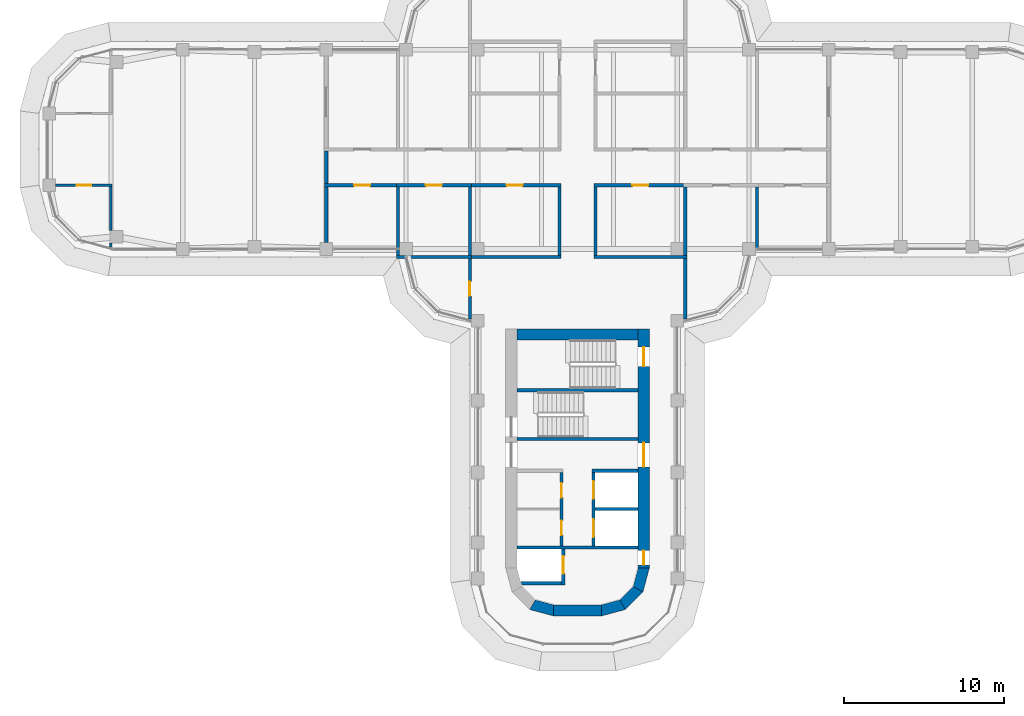
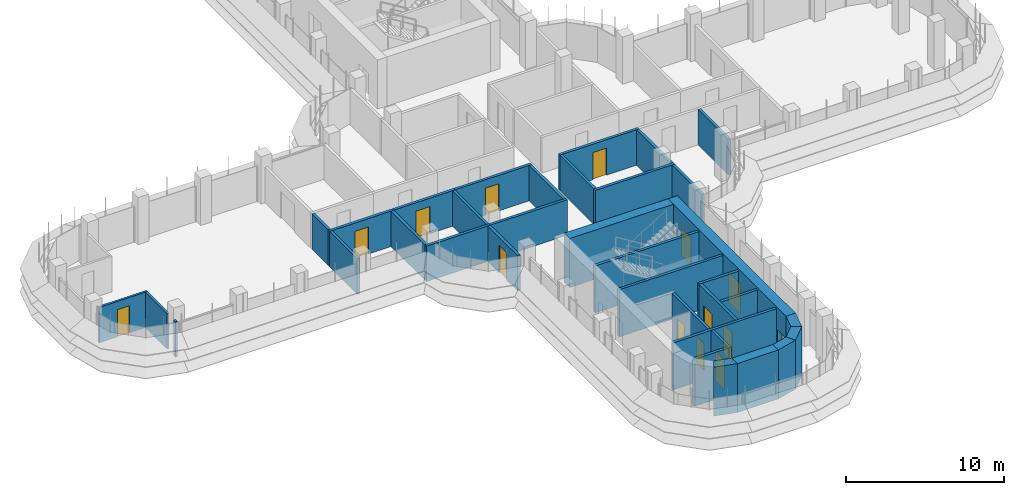
# One storey, part 13 of 19: 36 walls, 14 doors, 14 openings.
"""IFC4 building model written with IfcOpenShell, lengths in metres."""

from ifc_helpers import new_model, si_unit, direction, frame, frame_2d, origin, place, context, subcontext, project, spatial, polyline, rectangle, outline, extrude, material, layer, layer_set, type_object, element, fill, save


model = new_model("IFC4")

# Units and contexts
model_context = context("Model", 3, precision=1e-05, world=origin(), true_north=direction((0.0, 1.0)))
body_context = subcontext(model_context, "Body", "Model", "MODEL_VIEW")
ifc_project = project(units=[si_unit("LENGTHUNIT", "METRE"), si_unit("AREAUNIT", "SQUARE_METRE"), si_unit("VOLUMEUNIT", "CUBIC_METRE"), si_unit("PLANEANGLEUNIT", "RADIAN"), si_unit("MASSUNIT", "GRAM", prefix="KILO")], contexts=[model_context])

# Site, building, storey
site_placement = place(None, origin())
site = spatial("IfcSite", under=ifc_project, at=site_placement, CompositionType="ELEMENT")
building_placement = place(site_placement, origin())
building = spatial("IfcBuilding", under=site, at=building_placement, Name="Zarbagh Exchange Tower", CompositionType="ELEMENT")
storey_placement = place(building_placement, frame((0.0, 0.0, 167.60009765625)))
storey = spatial("IfcBuildingStorey", under=building, at=storey_placement, Name="L40", CompositionType="ELEMENT", Elevation=167.60009765625)

# Walls
ifc_material_1 = material(Name="Plasterboard partition")
ifc_layer_1 = layer(ifc_material_1, 0.14990234375)
ifc_layer_set_1 = layer_set([ifc_layer_1], Name="PARTITION 150")
wall_type_1 = type_object("IfcWallType", Name="PARTITION 150", PredefinedType="PARTITIONING", material=ifc_layer_set_1)
wall_1_placement = place(storey_placement, frame((-29.25, -6.1298828125, 0.0), z_axis=(0.0, 0.0, 1.0), x_axis=(0.0, 1.0, 0.0)))
element("IfcWall", 1, at=wall_1_placement, inside=storey, type_object=wall_type_1, Name="Partition W-1749", PredefinedType="PARTITIONING", context=body_context, shape_type="SweptSolid", body=[
    extrude(rectangle(XDim=0.2548828125, YDim=0.14990234375, at=frame_2d((0.12744140625, 0.0))), origin(), (0.0, 0.0, 1.0), 2.75),
])
wall_2_placement = place(storey_placement, frame((-29.25, -5.074951171875, 0.0), z_axis=(0.0, 0.0, 1.0), x_axis=(0.0, 1.0, 0.0)))
element("IfcWall", 2, at=wall_2_placement, inside=storey, type_object=wall_type_1, Name="Partition W-1750", PredefinedType="PARTITIONING", context=body_context, shape_type="SweptSolid", body=[
    extrude(rectangle(XDim=2.75, YDim=0.14990234375, at=frame_2d((1.375, 0.0))), origin(), (0.0, 0.0, 1.0), 2.75),
])

# Wall, opening, door
wall_3_placement = place(storey_placement, frame((-29.175048828125, -2.25, 0.0), z_axis=(0.0, 0.0, 1.0), x_axis=(-1.0, 0.0, 0.0)))
wall_3 = element("IfcWall", 3, at=wall_3_placement, inside=storey, type_object=wall_type_1, Name="Partition W-1751", PredefinedType="PARTITIONING", context=body_context, shape_type="SweptSolid", body=[
    extrude(rectangle(XDim=3.534912109375, YDim=0.14990234375, at=frame_2d((1.767578125, 0.0))), origin(), (0.0, 0.0, 1.0), 2.75),
])
opening_1_placement = place(wall_3_placement, frame((1.3173828125, 0.0, 0.0)))
opening_1 = element("IfcOpeningElement", 4, at=opening_1_placement, cuts=wall_3, Name="Opening D-1716", PredefinedType="OPENING", context=body_context, shape_type="SweptSolid", body=[
    extrude(rectangle(XDim=0.89990234375, YDim=2.10009765625, at=frame_2d((0.449951171875, 1.050048828125))), frame((0.0, 0.0849609375, 0.0), z_axis=(0.0, -1.0, 0.0), x_axis=(1.0, 0.0, 0.0)), (0.0, 0.0, 1.0), 0.169921875),
])
ifc_material_2 = material(Name="Timber door leaf", Category="wood")
door_type_1 = type_object("IfcDoorType", Name="DOOR 900 X 2100", OperationType="NOTDEFINED", PredefinedType="DOOR", material=ifc_material_2)
door_1_placement = place(opening_1_placement, origin())
door_1 = element("IfcDoor", 5, at=door_1_placement, inside=storey, type_object=door_type_1, Name="Door D-1716", OperationType="SINGLE_SWING_RIGHT", OverallHeight=2.10009765625, OverallWidth=0.89990234375, PredefinedType="DOOR", context=body_context, shape_type="SweptSolid", body=[
    extrude(rectangle(XDim=0.89990234375, YDim=2.10009765625, at=frame_2d((0.449951171875, 1.050048828125))), frame((0.0, 0.02490234375, 0.0), z_axis=(0.0, -1.0, 0.0), x_axis=(1.0, 0.0, 0.0)), (0.0, 0.0, 1.0), 0.050048828125),
])
fill(opening_1, door_1)

ifc_material_3 = material(Name="Fire-rated plasterboard partition")
ifc_layer_2 = layer(ifc_material_3, 0.199951171875)
ifc_layer_set_2 = layer_set([ifc_layer_2], Name="RATED PARTITION 200")
wall_type_2 = type_object("IfcWallType", Name="RATED PARTITION 200", PredefinedType="PARTITIONING", material=ifc_layer_set_2)
wall_4_placement = place(storey_placement, frame((6.85009765625, -2.25, 0.0), z_axis=(0.0, 0.0, 1.0), x_axis=(-1.0, 0.0, 0.0)))
wall_4 = element("IfcWall", 6, at=wall_4_placement, inside=storey, type_object=wall_type_2, Name="Partition W-1705", PredefinedType="PARTITIONING", context=body_context, shape_type="SweptSolid", body=[
    extrude(rectangle(XDim=5.8251953125, YDim=0.199951171875, at=frame_2d((2.91259765625, 0.0))), origin(), (0.0, 0.0, 1.0), 2.75),
])
opening_2_placement = place(wall_4_placement, frame((2.41259765625, 0.0, 0.0)))
opening_2 = element("IfcOpeningElement", 7, at=opening_2_placement, cuts=wall_4, Name="Opening D-1710", PredefinedType="OPENING", context=body_context, shape_type="SweptSolid", body=[
    extrude(rectangle(XDim=1.0, YDim=2.10009765625, at=frame_2d((0.5, 1.050048828125))), frame((0.0, 0.10986328125, 0.0), z_axis=(0.0, -1.0, 0.0), x_axis=(1.0, 0.0, 0.0)), (0.0, 0.0, 1.0), 0.219970703125),
])
ifc_material_4 = material(Name="Steel door set", Category="steel")
door_type_2 = type_object("IfcDoorType", Name="FIRE DOOR 1000 X 2100 FD30S", OperationType="NOTDEFINED", PredefinedType="DOOR", material=ifc_material_4)
door_2_placement = place(opening_2_placement, origin())
door_2 = element("IfcDoor", 8, at=door_2_placement, inside=storey, type_object=door_type_2, Name="Door D-1710", OperationType="SINGLE_SWING_RIGHT", OverallHeight=2.10009765625, OverallWidth=1.0, PredefinedType="DOOR", context=body_context, shape_type="SweptSolid", body=[
    extrude(rectangle(XDim=1.0, YDim=2.10009765625, at=frame_2d((0.5, 1.050048828125))), frame((0.0, 0.02490234375, 0.0), z_axis=(0.0, -1.0, 0.0), x_axis=(1.0, 0.0, 0.0)), (0.0, 0.0, 1.0), 0.050048828125),
])
fill(opening_2, door_2)

wall_5_placement = place(storey_placement, frame((-1.02490234375, -2.25, 0.0), z_axis=(0.0, 0.0, 1.0), x_axis=(-1.0, 0.0, 0.0)))
wall_5 = element("IfcWall", 9, at=wall_5_placement, inside=storey, type_object=wall_type_2, Name="Partition W-1707", PredefinedType="PARTITIONING", context=body_context, shape_type="SweptSolid", body=[
    extrude(rectangle(XDim=5.8251953125, YDim=0.199951171875, at=frame_2d((2.91259765625, 0.0))), origin(), (0.0, 0.0, 1.0), 2.75),
])
opening_3_placement = place(wall_5_placement, frame((2.41259765625, 0.0, 0.0)))
opening_3 = element("IfcOpeningElement", 10, at=opening_3_placement, cuts=wall_5, Name="Opening D-1712", PredefinedType="OPENING", context=body_context, shape_type="SweptSolid", body=[
    extrude(rectangle(XDim=1.0, YDim=2.10009765625, at=frame_2d((0.5, 1.050048828125))), frame((0.0, 0.10986328125, 0.0), z_axis=(0.0, -1.0, 0.0), x_axis=(1.0, 0.0, 0.0)), (0.0, 0.0, 1.0), 0.219970703125),
])
door_3_placement = place(opening_3_placement, origin())
door_3 = element("IfcDoor", 11, at=door_3_placement, inside=storey, type_object=door_type_2, Name="Door D-1712", OperationType="SINGLE_SWING_RIGHT", OverallHeight=2.10009765625, OverallWidth=1.0, PredefinedType="DOOR", context=body_context, shape_type="SweptSolid", body=[
    extrude(rectangle(XDim=1.0, YDim=2.10009765625, at=frame_2d((0.5, 1.050048828125))), frame((0.0, 0.02490234375, 0.0), z_axis=(0.0, -1.0, 0.0), x_axis=(1.0, 0.0, 0.0)), (0.0, 0.0, 1.0), 0.050048828125),
])
fill(opening_3, door_3)

wall_6_placement = place(storey_placement, frame((-6.64990234375, -2.25, 0.0), z_axis=(0.0, 0.0, 1.0), x_axis=(-1.0, 0.0, 0.0)))
wall_6 = element("IfcWall", 12, at=wall_6_placement, inside=storey, type_object=wall_type_2, Name="Partition W-1708", PredefinedType="PARTITIONING", context=body_context, shape_type="SweptSolid", body=[
    extrude(rectangle(XDim=4.7001953125, YDim=0.199951171875, at=frame_2d((2.35009765625, 0.0))), origin(), (0.0, 0.0, 1.0), 2.75),
])
opening_4_placement = place(wall_6_placement, frame((1.85009765625, 0.0, 0.0)))
opening_4 = element("IfcOpeningElement", 13, at=opening_4_placement, cuts=wall_6, Name="Opening D-1713", PredefinedType="OPENING", context=body_context, shape_type="SweptSolid", body=[
    extrude(rectangle(XDim=1.0, YDim=2.10009765625, at=frame_2d((0.5, 1.050048828125))), frame((0.0, 0.10986328125, 0.0), z_axis=(0.0, -1.0, 0.0), x_axis=(1.0, 0.0, 0.0)), (0.0, 0.0, 1.0), 0.219970703125),
])
door_4_placement = place(opening_4_placement, origin())
door_4 = element("IfcDoor", 14, at=door_4_placement, inside=storey, type_object=door_type_2, Name="Door D-1713", OperationType="SINGLE_SWING_RIGHT", OverallHeight=2.10009765625, OverallWidth=1.0, PredefinedType="DOOR", context=body_context, shape_type="SweptSolid", body=[
    extrude(rectangle(XDim=1.0, YDim=2.10009765625, at=frame_2d((0.5, 1.050048828125))), frame((0.0, 0.02490234375, 0.0), z_axis=(0.0, -1.0, 0.0), x_axis=(1.0, 0.0, 0.0)), (0.0, 0.0, 1.0), 0.050048828125),
])
fill(opening_4, door_4)

wall_7_placement = place(storey_placement, frame((-11.14990234375, -2.25, 0.0), z_axis=(0.0, 0.0, 1.0), x_axis=(-1.0, 0.0, 0.0)))
wall_7 = element("IfcWall", 15, at=wall_7_placement, inside=storey, type_object=wall_type_2, Name="Partition W-1713", PredefinedType="PARTITIONING", context=body_context, shape_type="SweptSolid", body=[
    extrude(rectangle(XDim=4.7001953125, YDim=0.199951171875, at=frame_2d((2.35009765625, 0.0))), origin(), (0.0, 0.0, 1.0), 2.75),
])
opening_5_placement = place(wall_7_placement, frame((1.85009765625, 0.0, 0.0)))
opening_5 = element("IfcOpeningElement", 16, at=opening_5_placement, cuts=wall_7, Name="Opening D-1719", PredefinedType="OPENING", context=body_context, shape_type="SweptSolid", body=[
    extrude(rectangle(XDim=1.0, YDim=2.10009765625, at=frame_2d((0.5, 1.050048828125))), frame((0.0, 0.10986328125, 0.0), z_axis=(0.0, -1.0, 0.0), x_axis=(1.0, 0.0, 0.0)), (0.0, 0.0, 1.0), 0.219970703125),
])
door_5_placement = place(opening_5_placement, origin())
door_5 = element("IfcDoor", 17, at=door_5_placement, inside=storey, type_object=door_type_2, Name="Door D-1719", OperationType="SINGLE_SWING_RIGHT", OverallHeight=2.10009765625, OverallWidth=1.0, PredefinedType="DOOR", context=body_context, shape_type="SweptSolid", body=[
    extrude(rectangle(XDim=1.0, YDim=2.10009765625, at=frame_2d((0.5, 1.050048828125))), frame((0.0, 0.02490234375, 0.0), z_axis=(0.0, -1.0, 0.0), x_axis=(1.0, 0.0, 0.0)), (0.0, 0.0, 1.0), 0.050048828125),
])
fill(opening_5, door_5)

# Walls
wall_8_placement = place(storey_placement, frame((-15.75, -2.14990234375, 0.0), z_axis=(0.0, 0.0, 1.0), x_axis=(0.0, 1.0, 0.0)))
element("IfcWall", 18, at=wall_8_placement, inside=storey, type_object=wall_type_2, Name="Partition W-1714", PredefinedType="PARTITIONING", context=body_context, shape_type="SweptSolid", body=[
    extrude(rectangle(XDim=2.0498046875, YDim=0.199951171875, at=frame_2d((1.02490234375, 0.0))), origin(), (0.0, 0.0, 1.0), 2.75),
])
for number, where, z_axis, x_axis, name in (
    (19, (1.125, -6.64990234375, 0.0), (0.0, 0.0, 1.0), (0.0, 1.0, 0.0), "Partition W-1719"),
    (20, (-1.125, -6.64990234375, 0.0), (0.0, 0.0, 1.0), (0.0, 1.0, 0.0), "Partition W-1720"),
):
    element("IfcWall", number, at=place(storey_placement, frame(where, z_axis=z_axis, x_axis=x_axis)), inside=storey, type_object=wall_type_2, Name=name, PredefinedType="PARTITIONING", context=body_context, shape_type="SweptSolid", body=[
        extrude(rectangle(XDim=4.2998046875, YDim=0.199951171875, at=frame_2d((2.14990234375, 0.0))), origin(), (0.0, 0.0, 1.0), 2.75),
    ])
wall_9_placement = place(storey_placement, frame((1.02490234375, -6.75, 0.0), z_axis=(0.0, 0.0, 1.0), x_axis=(1.0, 0.0, 0.0)))
element("IfcWall", 21, at=wall_9_placement, inside=storey, type_object=wall_type_2, Name="Partition W-1725", PredefinedType="PARTITIONING", context=body_context, shape_type="SweptSolid", body=[
    extrude(rectangle(XDim=5.8251953125, YDim=0.199951171875, at=frame_2d((2.91259765625, 0.0))), origin(), (0.0, 0.0, 1.0), 2.75),
])
wall_10_placement = place(storey_placement, frame((6.75, -10.6298828125, 0.0), z_axis=(0.0, 0.0, 1.0), x_axis=(0.0, 1.0, 0.0)))
element("IfcWall", 22, at=wall_10_placement, inside=storey, type_object=wall_type_2, Name="Partition W-1726", PredefinedType="PARTITIONING", context=body_context, shape_type="SweptSolid", body=[
    extrude(rectangle(XDim=3.77978515625, YDim=0.199951171875, at=frame_2d((1.889892578125, 0.0))), origin(), (0.0, 0.0, 1.0), 2.75),
])
wall_11_placement = place(storey_placement, frame((-6.85009765625, -6.75, 0.0), z_axis=(0.0, 0.0, 1.0), x_axis=(1.0, 0.0, 0.0)))
element("IfcWall", 23, at=wall_11_placement, inside=storey, type_object=wall_type_2, Name="Partition W-1727", PredefinedType="PARTITIONING", context=body_context, shape_type="SweptSolid", body=[
    extrude(rectangle(XDim=5.8251953125, YDim=0.199951171875, at=frame_2d((2.91259765625, 0.0))), origin(), (0.0, 0.0, 1.0), 2.75),
])

# Wall, opening, door
wall_12_placement = place(storey_placement, frame((-6.75, -10.6298828125, 0.0), z_axis=(0.0, 0.0, 1.0), x_axis=(0.0, 1.0, 0.0)))
wall_12 = element("IfcWall", 24, at=wall_12_placement, inside=storey, type_object=wall_type_2, Name="Partition W-1728", PredefinedType="PARTITIONING", context=body_context, shape_type="SweptSolid", body=[
    extrude(rectangle(XDim=3.77978515625, YDim=0.199951171875, at=frame_2d((1.889892578125, 0.0))), origin(), (0.0, 0.0, 1.0), 2.75),
])
opening_6_placement = place(wall_12_placement, frame((1.43994140625, 0.0, 0.0)))
opening_6 = element("IfcOpeningElement", 25, at=opening_6_placement, cuts=wall_12, Name="Opening D-1714", PredefinedType="OPENING", context=body_context, shape_type="SweptSolid", body=[
    extrude(rectangle(XDim=0.89990234375, YDim=2.10009765625, at=frame_2d((0.449951171875, 1.050048828125))), frame((0.0, 0.10986328125, 0.0), z_axis=(0.0, -1.0, 0.0), x_axis=(1.0, 0.0, 0.0)), (0.0, 0.0, 1.0), 0.219970703125),
])
door_6_placement = place(opening_6_placement, origin())
door_6 = element("IfcDoor", 26, at=door_6_placement, inside=storey, type_object=door_type_1, Name="Door D-1714", OperationType="SINGLE_SWING_RIGHT", OverallHeight=2.10009765625, OverallWidth=0.89990234375, PredefinedType="DOOR", context=body_context, shape_type="SweptSolid", body=[
    extrude(rectangle(XDim=0.89990234375, YDim=2.10009765625, at=frame_2d((0.449951171875, 1.050048828125))), frame((0.0, 0.02490234375, 0.0), z_axis=(0.0, -1.0, 0.0), x_axis=(1.0, 0.0, 0.0)), (0.0, 0.0, 1.0), 0.050048828125),
])
fill(opening_6, door_6)

# Walls
wall_13_placement = place(storey_placement, frame((6.75, -6.64990234375, 0.0), z_axis=(0.0, 0.0, 1.0), x_axis=(0.0, 1.0, 0.0)))
element("IfcWall", 27, at=wall_13_placement, inside=storey, type_object=wall_type_2, Name="Partition W-1737", PredefinedType="PARTITIONING", context=body_context, shape_type="SweptSolid", body=[
    extrude(rectangle(XDim=4.2998046875, YDim=0.199951171875, at=frame_2d((2.14990234375, 0.0))), origin(), (0.0, 0.0, 1.0), 2.75),
])
wall_14_placement = place(storey_placement, frame((11.25, -6.169921875, 0.0), z_axis=(0.0, 0.0, 1.0), x_axis=(0.0, 1.0, 0.0)))
element("IfcWall", 28, at=wall_14_placement, inside=storey, type_object=wall_type_2, Name="Partition W-1738", PredefinedType="PARTITIONING", context=body_context, shape_type="SweptSolid", body=[
    extrude(rectangle(XDim=3.81982421875, YDim=0.199951171875, at=frame_2d((1.909912109375, 0.0))), origin(), (0.0, 0.0, 1.0), 2.75),
])
wall_15_placement = place(storey_placement, frame((-6.75, -6.64990234375, 0.0), z_axis=(0.0, 0.0, 1.0), x_axis=(0.0, 1.0, 0.0)))
element("IfcWall", 29, at=wall_15_placement, inside=storey, type_object=wall_type_2, Name="Partition W-1739", PredefinedType="PARTITIONING", context=body_context, shape_type="SweptSolid", body=[
    extrude(rectangle(XDim=4.2998046875, YDim=0.199951171875, at=frame_2d((2.14990234375, 0.0))), origin(), (0.0, 0.0, 1.0), 2.75),
])
wall_16_placement = place(storey_placement, frame((-11.35009765625, -6.75, 0.0), z_axis=(0.0, 0.0, 1.0), x_axis=(1.0, 0.0, 0.0)))
element("IfcWall", 30, at=wall_16_placement, inside=storey, type_object=wall_type_2, Name="Partition W-1740", PredefinedType="PARTITIONING", context=body_context, shape_type="SweptSolid", body=[
    extrude(rectangle(XDim=4.7001953125, YDim=0.199951171875, at=frame_2d((2.35009765625, 0.0))), origin(), (0.0, 0.0, 1.0), 2.75),
])
wall_17_placement = place(storey_placement, frame((-11.25, -6.64990234375, 0.0), z_axis=(0.0, 0.0, 1.0), x_axis=(0.0, 1.0, 0.0)))
element("IfcWall", 31, at=wall_17_placement, inside=storey, type_object=wall_type_2, Name="Partition W-1741", PredefinedType="PARTITIONING", context=body_context, shape_type="SweptSolid", body=[
    extrude(rectangle(XDim=4.2998046875, YDim=0.199951171875, at=frame_2d((2.14990234375, 0.0))), origin(), (0.0, 0.0, 1.0), 2.75),
])
wall_18_placement = place(storey_placement, frame((-15.75, -5.85009765625, 0.0), z_axis=(0.0, 0.0, 1.0), x_axis=(0.0, 1.0, 0.0)))
element("IfcWall", 32, at=wall_18_placement, inside=storey, type_object=wall_type_2, Name="Partition W-1745", PredefinedType="PARTITIONING", context=body_context, shape_type="SweptSolid", body=[
    extrude(rectangle(XDim=3.5, YDim=0.199951171875, at=frame_2d((1.75, 0.0))), origin(), (0.0, 0.0, 1.0), 2.75),
])
ifc_material_5 = material(Name="Concrete C50/60", Category="concrete")
ifc_layer_3 = layer(ifc_material_5, 0.699951171875)
ifc_layer_set_3 = layer_set([ifc_layer_3], Name="RC core corner wall 700 C50/60")
wall_type_3 = type_object("IfcWallType", Name="RC core corner wall 700 C50/60", PredefinedType="SHEAR", material=ifc_layer_set_3)
wall_19_placement = place(storey_placement, origin())
element("IfcWall", 33, at=wall_19_placement, inside=storey, type_object=wall_type_3, Name="CW6 core S corner W", PredefinedType="SHEAR", context=body_context, shape_type="SweptSolid", body=[
    extrude(outline(polyline([(-3.0, -28.84814453125), (-1.5, -29.25), (-1.5, -28.550048828125), (-2.64990234375, -28.241943359375), (-3.0, -28.84814453125)])), origin(), (0.0, 0.0, 1.0), 3.7998046875),
])
wall_20_placement = place(storey_placement, origin())
element("IfcWall", 34, at=wall_20_placement, inside=storey, type_object=wall_type_3, Name="CW6 core S corner E", PredefinedType="SHEAR", context=body_context, shape_type="SweptSolid", body=[
    extrude(outline(polyline([(4.5, -26.25), (4.09814453125, -27.75), (3.491943359375, -27.39990234375), (3.800048828125, -26.25), (4.5, -26.25)])), origin(), (0.0, 0.0, 1.0), 3.7998046875),
])
wall_21_placement = place(storey_placement, origin())
element("IfcWall", 35, at=wall_21_placement, inside=storey, type_object=wall_type_3, Name="CW6 core S corner E", PredefinedType="SHEAR", context=body_context, shape_type="SweptSolid", body=[
    extrude(outline(polyline([(4.09814453125, -27.75), (3.0, -28.84814453125), (2.64990234375, -28.241943359375), (3.491943359375, -27.39990234375), (4.09814453125, -27.75)])), origin(), (0.0, 0.0, 1.0), 3.7998046875),
])
wall_22_placement = place(storey_placement, origin())
element("IfcWall", 36, at=wall_22_placement, inside=storey, type_object=wall_type_3, Name="CW6 core S corner E", PredefinedType="SHEAR", context=body_context, shape_type="SweptSolid", body=[
    extrude(outline(polyline([(3.0, -28.84814453125), (1.5, -29.25), (1.5, -28.550048828125), (2.64990234375, -28.241943359375), (3.0, -28.84814453125)])), origin(), (0.0, 0.0, 1.0), 3.7998046875),
])

# Wall, openings, doors
ifc_layer_4 = layer(ifc_material_5, 0.699951171875)
ifc_layer_set_4 = layer_set([ifc_layer_4], Name="RC core wall 700 C50/60")
wall_type_4 = type_object("IfcWallType", Name="RC core wall 700 C50/60", PredefinedType="SHEAR", material=ifc_layer_set_4)
wall_23_placement = place(storey_placement, frame((4.14990234375, -11.25, 0.0), z_axis=(0.0, 0.0, 1.0), x_axis=(0.0, -1.0, 0.0)))
wall_23 = element("IfcWall", 37, at=wall_23_placement, inside=storey, type_object=wall_type_4, Name="CW5 core S E", PredefinedType="SHEAR", context=body_context, shape_type="SweptSolid", body=[
    extrude(rectangle(XDim=15.0, YDim=0.699951171875, at=frame_2d((7.5, 0.0))), origin(), (0.0, 0.0, 1.0), 3.7998046875),
])
opening_7_placement = place(wall_23_placement, frame((7.14990234375, 0.0, 0.0)))
opening_7 = element("IfcOpeningElement", 38, at=opening_7_placement, cuts=wall_23, Name="Opening CD1-1500", PredefinedType="OPENING", context=body_context, shape_type="SweptSolid", body=[
    extrude(rectangle(XDim=1.5, YDim=2.300048828125, at=frame_2d((0.75, 1.14990234375))), frame((0.0, 0.35986328125, 0.0), z_axis=(0.0, -1.0, 0.0), x_axis=(1.0, 0.0, 0.0)), (0.0, 0.0, 1.0), 0.719970703125),
])
opening_8_placement = place(wall_23_placement, frame((13.89990234375, 0.0, 0.0)))
opening_8 = element("IfcOpeningElement", 39, at=opening_8_placement, cuts=wall_23, Name="Opening CD2-900", PredefinedType="OPENING", context=body_context, shape_type="SweptSolid", body=[
    extrude(rectangle(XDim=0.89990234375, YDim=2.10009765625, at=frame_2d((0.449951171875, 1.050048828125))), frame((0.0, 0.35986328125, 0.0), z_axis=(0.0, -1.0, 0.0), x_axis=(1.0, 0.0, 0.0)), (0.0, 0.0, 1.0), 0.719970703125),
])
opening_9_placement = place(wall_23_placement, frame((1.14990234375, 0.0, 0.0)))
opening_9 = element("IfcOpeningElement", 40, at=opening_9_placement, cuts=wall_23, Name="Opening SD1-1200", PredefinedType="OPENING", context=body_context, shape_type="SweptSolid", body=[
    extrude(rectangle(XDim=1.199951171875, YDim=2.10009765625, at=frame_2d((0.60009765625, 1.050048828125))), frame((0.0, 0.35986328125, 0.0), z_axis=(0.0, -1.0, 0.0), x_axis=(1.0, 0.0, 0.0)), (0.0, 0.0, 1.0), 0.719970703125),
])
ifc_material_6 = material(Name="Steel", Category="steel")
door_type_3 = type_object("IfcDoorType", Name="Exit stair door 1200 x 2100", OperationType="NOTDEFINED", PredefinedType="DOOR", material=ifc_material_6)
door_7_placement = place(opening_9_placement, origin())
door_7 = element("IfcDoor", 41, at=door_7_placement, inside=storey, type_object=door_type_3, Name="South core stair door ST2", OperationType="SINGLE_SWING_LEFT", OverallHeight=2.10009765625, OverallWidth=1.199951171875, PredefinedType="DOOR", context=body_context, shape_type="SweptSolid", body=[
    extrude(rectangle(XDim=1.199951171875, YDim=2.10009765625, at=frame_2d((0.60009765625, 1.050048828125))), frame((0.0, 0.02490234375, 0.0), z_axis=(0.0, -1.0, 0.0), x_axis=(1.0, 0.0, 0.0)), (0.0, 0.0, 1.0), 0.050048828125),
])
fill(opening_9, door_7)
door_type_4 = type_object("IfcDoorType", Name="Firefighting lobby door 900 x 2100", OperationType="NOTDEFINED", PredefinedType="DOOR", material=ifc_material_6)
door_8_placement = place(opening_8_placement, origin())
door_8 = element("IfcDoor", 42, at=door_8_placement, inside=storey, type_object=door_type_4, Name="South core firefighting lobby door FF-W", OperationType="SINGLE_SWING_RIGHT", OverallHeight=2.10009765625, OverallWidth=0.89990234375, PredefinedType="DOOR", context=body_context, shape_type="SweptSolid", body=[
    extrude(rectangle(XDim=0.89990234375, YDim=2.10009765625, at=frame_2d((0.449951171875, 1.050048828125))), frame((0.0, 0.02490234375, 0.0), z_axis=(0.0, -1.0, 0.0), x_axis=(1.0, 0.0, 0.0)), (0.0, 0.0, 1.0), 0.050048828125),
])
fill(opening_8, door_8)
door_type_5 = type_object("IfcDoorType", Name="Lift lobby double door 1500 x 2300", OperationType="NOTDEFINED", PredefinedType="DOOR", material=ifc_material_6)
door_9_placement = place(opening_7_placement, origin())
door_9 = element("IfcDoor", 43, at=door_9_placement, inside=storey, type_object=door_type_5, Name="South core lift lobby door LOBBY-W", OperationType="DOUBLE_DOOR_SINGLE_SWING", OverallHeight=2.300048828125, OverallWidth=1.5, PredefinedType="DOOR", context=body_context, shape_type="SweptSolid", body=[
    extrude(rectangle(XDim=1.5, YDim=2.300048828125, at=frame_2d((0.75, 1.14990234375))), frame((0.0, 0.02490234375, 0.0), z_axis=(0.0, -1.0, 0.0), x_axis=(1.0, 0.0, 0.0)), (0.0, 0.0, 1.0), 0.050048828125),
])
fill(opening_7, door_9)

# Walls
wall_24_placement = place(storey_placement, frame((-3.800048828125, -11.60009765625, 0.0), z_axis=(0.0, 0.0, 1.0), x_axis=(1.0, 0.0, 0.0)))
element("IfcWall", 44, at=wall_24_placement, inside=storey, type_object=wall_type_4, Name="CW5 core S inner end", PredefinedType="SHEAR", context=body_context, shape_type="SweptSolid", body=[
    extrude(rectangle(XDim=7.60009765625, YDim=0.699951171875, at=frame_2d((3.800048828125, 0.0))), origin(), (0.0, 0.0, 1.0), 3.7998046875),
])
wall_25_placement = place(storey_placement, frame((-1.5, -28.89990234375, 0.0), z_axis=(0.0, 0.0, 1.0), x_axis=(1.0, 0.0, 0.0)))
element("IfcWall", 45, at=wall_25_placement, inside=storey, type_object=wall_type_4, Name="CW5 core S outer end", PredefinedType="SHEAR", context=body_context, shape_type="SweptSolid", body=[
    extrude(rectangle(XDim=3.0, YDim=0.699951171875, at=frame_2d((1.5, 0.0))), origin(), (0.0, 0.0, 1.0), 3.7998046875),
])
ifc_material_7 = material(Name="Dense blockwork", Category="masonry")
ifc_layer_5 = layer(ifc_material_7, 0.199951171875)
ifc_layer_set_5 = layer_set([ifc_layer_5], Name="Shaft wall 200 mm blockwork")
wall_type_5 = type_object("IfcWallType", Name="Shaft wall 200 mm blockwork", PredefinedType="PARTITIONING", material=ifc_layer_set_5)
wall_26_placement = place(storey_placement, frame((3.800048828125, -20.14990234375, 0.0), z_axis=(0.0, 0.0, 1.0), x_axis=(-1.0, 0.0, 0.0)))
element("IfcWall", 46, at=wall_26_placement, inside=storey, type_object=wall_type_5, Name="South core shaft wall AB-W", PredefinedType="PARTITIONING", context=body_context, shape_type="SweptSolid", body=[
    extrude(rectangle(XDim=2.900146484375, YDim=0.199951171875, at=frame_2d((1.4501953125, 0.0))), origin(), (0.0, 0.0, 1.0), 3.64990234375),
])

# Wall, openings, doors
wall_27_placement = place(storey_placement, frame((1.0, -24.85009765625, 0.0), z_axis=(0.0, 0.0, 1.0), x_axis=(0.0, 1.0, 0.0)))
wall_27 = element("IfcWall", 47, at=wall_27_placement, inside=storey, type_object=wall_type_5, Name="South core shaft wall LW-W", PredefinedType="PARTITIONING", context=body_context, shape_type="SweptSolid", body=[
    extrude(rectangle(XDim=4.60009765625, YDim=0.199951171875, at=frame_2d((2.300048828125, 0.0))), origin(), (0.0, 0.0, 1.0), 3.64990234375),
])
opening_10_placement = place(wall_27_placement, frame((0.550048828125, 0.0, 0.0)))
opening_10 = element("IfcOpeningElement", 48, at=opening_10_placement, cuts=wall_27, Name="Opening LD-1100", PredefinedType="OPENING", context=body_context, shape_type="SweptSolid", body=[
    extrude(rectangle(XDim=1.10009765625, YDim=2.300048828125, at=frame_2d((0.550048828125, 1.14990234375))), frame((0.0, 0.10986328125, 0.0), z_axis=(0.0, -1.0, 0.0), x_axis=(1.0, 0.0, 0.0)), (0.0, 0.0, 1.0), 0.219970703125),
])
opening_11_placement = place(wall_27_placement, frame((2.949951171875, 0.0, 0.0)))
opening_11 = element("IfcOpeningElement", 49, at=opening_11_placement, cuts=wall_27, Name="Opening LD-1100", PredefinedType="OPENING", context=body_context, shape_type="SweptSolid", body=[
    extrude(rectangle(XDim=1.10009765625, YDim=2.300048828125, at=frame_2d((0.550048828125, 1.14990234375))), frame((0.0, 0.10986328125, 0.0), z_axis=(0.0, -1.0, 0.0), x_axis=(1.0, 0.0, 0.0)), (0.0, 0.0, 1.0), 0.219970703125),
])
ifc_material_8 = material(Name="Stainless steel", Category="steel")
door_type_6 = type_object("IfcDoorType", Name="Lift landing door 1100 x 2300", OperationType="NOTDEFINED", PredefinedType="DOOR", material=ifc_material_8)
door_10_placement = place(opening_10_placement, origin())
door_10 = element("IfcDoor", 50, at=door_10_placement, inside=storey, type_object=door_type_6, Name="South core lift landing door LD-P-S1", OperationType="DOUBLE_DOOR_SLIDING", OverallHeight=2.300048828125, OverallWidth=1.10009765625, PredefinedType="DOOR", context=body_context, shape_type="SweptSolid", body=[
    extrude(rectangle(XDim=1.10009765625, YDim=2.300048828125, at=frame_2d((0.550048828125, 1.14990234375))), frame((0.0, 0.02490234375, 0.0), z_axis=(0.0, -1.0, 0.0), x_axis=(1.0, 0.0, 0.0)), (0.0, 0.0, 1.0), 0.050048828125),
])
fill(opening_10, door_10)
door_11_placement = place(opening_11_placement, origin())
door_11 = element("IfcDoor", 51, at=door_11_placement, inside=storey, type_object=door_type_6, Name="South core lift landing door LD-P-S2", OperationType="DOUBLE_DOOR_SLIDING", OverallHeight=2.300048828125, OverallWidth=1.10009765625, PredefinedType="DOOR", context=body_context, shape_type="SweptSolid", body=[
    extrude(rectangle(XDim=1.10009765625, YDim=2.300048828125, at=frame_2d((0.550048828125, 1.14990234375))), frame((0.0, 0.02490234375, 0.0), z_axis=(0.0, -1.0, 0.0), x_axis=(1.0, 0.0, 0.0)), (0.0, 0.0, 1.0), 0.050048828125),
])
fill(opening_11, door_11)

wall_28_placement = place(storey_placement, frame((-1.0, -24.85009765625, 0.0), z_axis=(0.0, 0.0, 1.0), x_axis=(0.0, 1.0, 0.0)))
wall_28 = element("IfcWall", 52, at=wall_28_placement, inside=storey, type_object=wall_type_5, Name="South core shaft wall LW-E", PredefinedType="PARTITIONING", context=body_context, shape_type="SweptSolid", body=[
    extrude(rectangle(XDim=4.60009765625, YDim=0.199951171875, at=frame_2d((2.300048828125, 0.0))), origin(), (0.0, 0.0, 1.0), 3.64990234375),
])
opening_12_placement = place(wall_28_placement, frame((0.675048828125, 0.0, 0.0)))
opening_12 = element("IfcOpeningElement", 53, at=opening_12_placement, cuts=wall_28, Name="Opening CD3-900", PredefinedType="OPENING", context=body_context, shape_type="SweptSolid", body=[
    extrude(rectangle(XDim=0.89990234375, YDim=2.10009765625, at=frame_2d((0.449951171875, 1.050048828125))), frame((0.0, 0.10986328125, 0.0), z_axis=(0.0, -1.0, 0.0), x_axis=(1.0, 0.0, 0.0)), (0.0, 0.0, 1.0), 0.219970703125),
])
opening_13_placement = place(wall_28_placement, frame((3.02490234375, 0.0, 0.0)))
opening_13 = element("IfcOpeningElement", 54, at=opening_13_placement, cuts=wall_28, Name="Opening CD3-900", PredefinedType="OPENING", context=body_context, shape_type="SweptSolid", body=[
    extrude(rectangle(XDim=0.89990234375, YDim=2.10009765625, at=frame_2d((0.449951171875, 1.050048828125))), frame((0.0, 0.10986328125, 0.0), z_axis=(0.0, -1.0, 0.0), x_axis=(1.0, 0.0, 0.0)), (0.0, 0.0, 1.0), 0.219970703125),
])
door_type_7 = type_object("IfcDoorType", Name="Core room door 900 x 2100", OperationType="NOTDEFINED", PredefinedType="DOOR", material=ifc_material_6)
door_12_placement = place(opening_12_placement, origin())
door_12 = element("IfcDoor", 55, at=door_12_placement, inside=storey, type_object=door_type_7, Name="South core Staff WC door RD-E-0", OperationType="SINGLE_SWING_RIGHT", OverallHeight=2.10009765625, OverallWidth=0.89990234375, PredefinedType="DOOR", context=body_context, shape_type="SweptSolid", body=[
    extrude(rectangle(XDim=0.89990234375, YDim=2.10009765625, at=frame_2d((0.449951171875, 1.050048828125))), frame((0.0, 0.02490234375, 0.0), z_axis=(0.0, -1.0, 0.0), x_axis=(1.0, 0.0, 0.0)), (0.0, 0.0, 1.0), 0.050048828125),
])
fill(opening_12, door_12)
door_13_placement = place(opening_13_placement, origin())
door_13 = element("IfcDoor", 56, at=door_13_placement, inside=storey, type_object=door_type_7, Name="South core Accessible WC door RD-E-1", OperationType="SINGLE_SWING_RIGHT", OverallHeight=2.10009765625, OverallWidth=0.89990234375, PredefinedType="DOOR", context=body_context, shape_type="SweptSolid", body=[
    extrude(rectangle(XDim=0.89990234375, YDim=2.10009765625, at=frame_2d((0.449951171875, 1.050048828125))), frame((0.0, 0.02490234375, 0.0), z_axis=(0.0, -1.0, 0.0), x_axis=(1.0, 0.0, 0.0)), (0.0, 0.0, 1.0), 0.050048828125),
])
fill(opening_13, door_13)

# Walls
wall_29_placement = place(storey_placement, frame((3.800048828125, -22.550048828125, 0.0), z_axis=(0.0, 0.0, 1.0), x_axis=(-1.0, 0.0, 0.0)))
element("IfcWall", 57, at=wall_29_placement, inside=storey, type_object=wall_type_5, Name="South core shaft wall TR-W", PredefinedType="PARTITIONING", context=body_context, shape_type="SweptSolid", body=[
    extrude(rectangle(XDim=2.699951171875, YDim=0.199951171875, at=frame_2d((1.35009765625, 0.0))), origin(), (0.0, 0.0, 1.0), 3.64990234375),
])
ifc_material_9 = material(Name="Concrete C40/50", Category="concrete")
ifc_layer_6 = layer(ifc_material_9, 0.199951171875)
ifc_layer_set_6 = layer_set([ifc_layer_6], Name="Stair enclosure wall 200 mm RC C40/50")
wall_type_6 = type_object("IfcWallType", Name="Stair enclosure wall 200 mm RC C40/50", PredefinedType="SHEAR", material=ifc_layer_set_6)
wall_30_placement = place(storey_placement, frame((3.800048828125, -24.949951171875, 0.0), z_axis=(0.0, 0.0, 1.0), x_axis=(-1.0, 0.0, 0.0)))
element("IfcWall", 58, at=wall_30_placement, inside=storey, type_object=wall_type_6, Name="South core lift shaft wall FFA", PredefinedType="SHEAR", context=body_context, shape_type="SweptSolid", body=[
    extrude(rectangle(XDim=7.60009765625, YDim=0.199951171875, at=frame_2d((3.800048828125, 0.0))), origin(), (0.0, 0.0, 1.0), 3.64990234375),
])

# Wall, opening, door
wall_31_placement = place(storey_placement, frame((-0.89990234375, -27.300048828125, 0.0), z_axis=(0.0, 0.0, 1.0), x_axis=(0.0, 1.0, 0.0)))
wall_31 = element("IfcWall", 59, at=wall_31_placement, inside=storey, type_object=wall_type_6, Name="South core lift shaft wall FFL", PredefinedType="SHEAR", context=body_context, shape_type="SweptSolid", body=[
    extrude(rectangle(XDim=2.25, YDim=0.199951171875, at=frame_2d((1.125, 0.0))), origin(), (0.0, 0.0, 1.0), 3.64990234375),
])
opening_14_placement = place(wall_31_placement, frame((0.699951171875, 0.0, 0.0)))
opening_14 = element("IfcOpeningElement", 60, at=opening_14_placement, cuts=wall_31, Name="Opening LD-1100", PredefinedType="OPENING", context=body_context, shape_type="SweptSolid", body=[
    extrude(rectangle(XDim=1.10009765625, YDim=2.300048828125, at=frame_2d((0.550048828125, 1.14990234375))), frame((0.0, 0.10986328125, 0.0), z_axis=(0.0, -1.0, 0.0), x_axis=(1.0, 0.0, 0.0)), (0.0, 0.0, 1.0), 0.219970703125),
])
door_14_placement = place(opening_14_placement, origin())
door_14 = element("IfcDoor", 61, at=door_14_placement, inside=storey, type_object=door_type_6, Name="South core lift landing door LD-F", OperationType="DOUBLE_DOOR_SLIDING", OverallHeight=2.300048828125, OverallWidth=1.10009765625, PredefinedType="DOOR", context=body_context, shape_type="SweptSolid", body=[
    extrude(rectangle(XDim=1.10009765625, YDim=2.300048828125, at=frame_2d((0.550048828125, 1.14990234375))), frame((0.0, 0.02490234375, 0.0), z_axis=(0.0, -1.0, 0.0), x_axis=(1.0, 0.0, 0.0)), (0.0, 0.0, 1.0), 0.050048828125),
])
fill(opening_14, door_14)

# Walls
wall_32_placement = place(storey_placement, origin())
element("IfcWall", 62, at=wall_32_placement, inside=storey, type_object=wall_type_6, Name="South core lift shaft wall FFX", PredefinedType="SHEAR", context=body_context, shape_type="SweptSolid", body=[
    extrude(outline(polyline([(-1.0, -27.10009765625), (-3.547607421875, -27.10009765625), (-3.493896484375, -27.300048828125), (-1.0, -27.300048828125), (-1.0, -27.10009765625)])), origin(), (0.0, 0.0, 1.0), 3.64990234375),
])
for number, where, z_axis, x_axis, name in (
    (63, (3.800048828125, -18.14990234375, 0.0), (0.0, 0.0, 1.0), (-1.0, 0.0, 0.0), "South core stair wall BS"),
    (64, (3.800048828125, -15.10009765625, 0.0), (0.0, 0.0, 1.0), (-1.0, 0.0, 0.0), "South core stair wall ST12"),
):
    element("IfcWall", number, at=place(storey_placement, frame(where, z_axis=z_axis, x_axis=x_axis)), inside=storey, type_object=wall_type_6, Name=name, PredefinedType="SHEAR", context=body_context, shape_type="SweptSolid", body=[
        extrude(rectangle(XDim=7.60009765625, YDim=0.199951171875, at=frame_2d((3.800048828125, 0.0))), origin(), (0.0, 0.0, 1.0), 3.64990234375),
    ])

save(model, "model.ifc")
